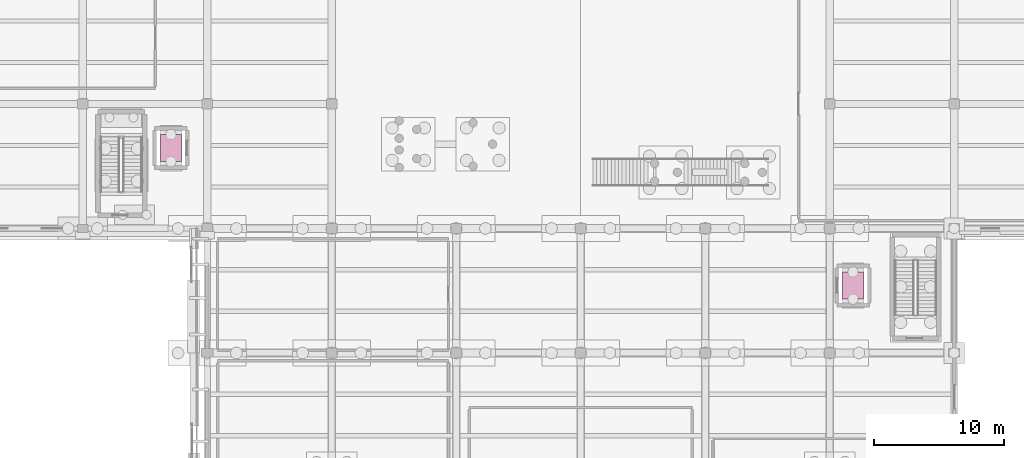
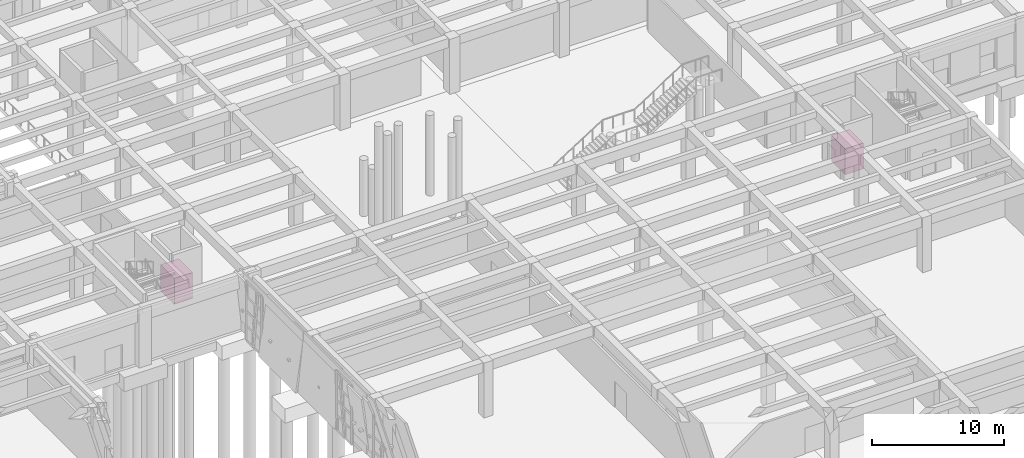
# One storey, part 51 of 51: 2 transport elements.
"""IFC4 building model written with IfcOpenShell, lengths in metres."""

from ifc_helpers import new_model, si_unit, direction, frame, origin, origin_2d, place, context, subcontext, project, spatial, rectangle, extrude, material, type_object, element, save


model = new_model("IFC4")

# Units and contexts
model_context = context("Model", 3, precision=1e-05, world=origin(), true_north=direction((0.0, 1.0)))
body_context = subcontext(model_context, "Body", "Model", "MODEL_VIEW")
ifc_project = project(units=[si_unit("LENGTHUNIT", "METRE"), si_unit("AREAUNIT", "SQUARE_METRE"), si_unit("VOLUMEUNIT", "CUBIC_METRE"), si_unit("PLANEANGLEUNIT", "RADIAN"), si_unit("MASSUNIT", "GRAM", prefix="KILO")], contexts=[model_context])

# Site, building, storey
site_placement = place(None, origin())
site = spatial("IfcSite", under=ifc_project, at=site_placement, CompositionType="ELEMENT")
building_placement = place(site_placement, origin())
building = spatial("IfcBuilding", under=site, at=building_placement, Name="Bempovik Park Faculty of Sciences", CompositionType="ELEMENT")
storey_placement = place(building_placement, origin())
storey = spatial("IfcBuildingStorey", under=building, at=storey_placement, Name="L00", CompositionType="ELEMENT", Elevation=0.0)

# Transport elements
ifc_material = material(Name="Anodised aluminium", Category="aluminium")
transport_element_type = type_object("IfcTransportElementType", Name="LFT-PAX Campus Passenger Lift 1350kg", PredefinedType="ELEVATOR", material=ifc_material)
for number, where, z_axis, x_axis, name in (
    (1, (57.199951171875, 74.0, 0.0), (0.0, 0.0, 1.0), (1.0, 0.0, 0.0), "Lift LF-3 (Passenger)"),
    (2, (109.800048828125, 63.39990234375, 0.0), (0.0, 0.0, 1.0), (1.0, 0.0, 0.0), "Lift LF-4 (Passenger)"),
):
    element("IfcTransportElement", number, at=place(storey_placement, frame(where, z_axis=z_axis, x_axis=x_axis)), inside=storey, type_object=transport_element_type, Name=name, PredefinedType="ELEVATOR", context=body_context, shape_type="SweptSolid", body=[
        extrude(rectangle(XDim=1.60009765625, YDim=2.10009765625, at=origin_2d()), origin(), (0.0, 0.0, 1.0), 2.39990234375),
    ])

save(model, "model.ifc")
